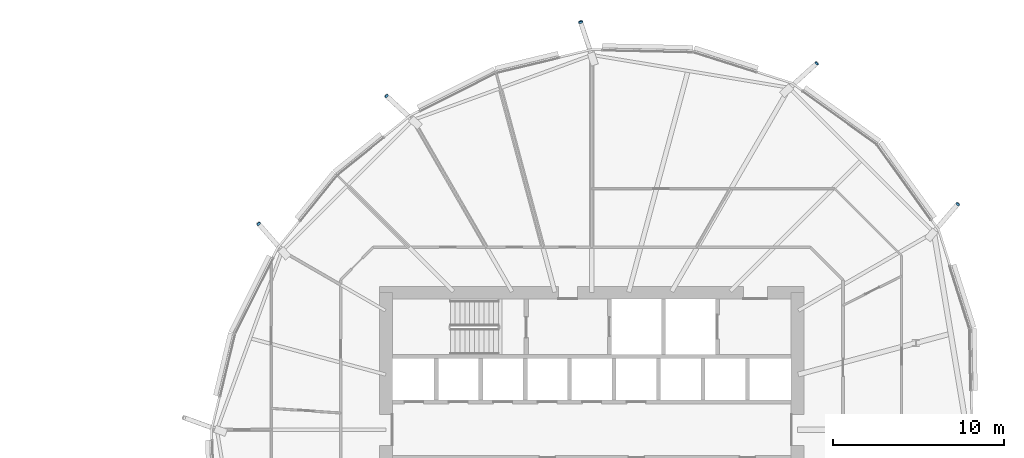
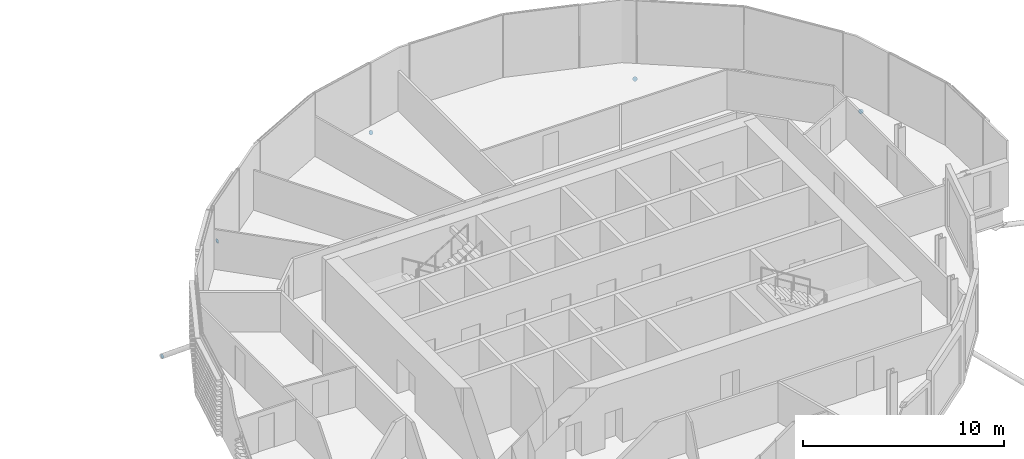
# One storey, part 32 of 39: 5 discrete accessories.
"""IFC4 building model written with IfcOpenShell, lengths in metres."""

from ifc_helpers import new_model, si_unit, direction, frame, origin, origin_2d, place, context, subcontext, project, spatial, circle, extrude, material, material_profile, profile_set, type_object, element, save


model = new_model("IFC4")

# Units and contexts
model_context = context("Model", 3, precision=1e-05, world=origin(), true_north=direction((0.0, 1.0)))
body_context = subcontext(model_context, "Body", "Model", "MODEL_VIEW")
ifc_project = project(units=[si_unit("LENGTHUNIT", "METRE"), si_unit("AREAUNIT", "SQUARE_METRE"), si_unit("VOLUMEUNIT", "CUBIC_METRE"), si_unit("PLANEANGLEUNIT", "RADIAN"), si_unit("MASSUNIT", "GRAM", prefix="KILO")], contexts=[model_context])

# Site, building, storey
site_placement = place(None, origin())
site = spatial("IfcSite", under=ifc_project, at=site_placement, CompositionType="ELEMENT")
building_placement = place(site_placement, origin())
building = spatial("IfcBuilding", under=site, at=building_placement, Name="Rimbun Link Towers", CompositionType="ELEMENT")
storey_placement = place(building_placement, frame((0.0, 0.0, 96.800048828125)))
storey = spatial("IfcBuildingStorey", under=building, at=storey_placement, Name="L23", CompositionType="ELEMENT", Elevation=96.800048828125)

# Discrete accessories
ifc_material = material(Name="Steel S355J2H", Category="steel")
ifc_material_profile = material_profile(ifc_material, circle(Radius=0.1240234375, at=origin_2d()), Name="PL D248")
ifc_profile_set = profile_set([ifc_material_profile], Name="Steel S355J2H")
discrete_accessory_type = type_object("IfcDiscreteAccessoryType", Name="Link foot sealing plate D248X20", PredefinedType="BRACKET", material=ifc_profile_set)
for number, where, z_axis, x_axis, name in (
    (1, (44.85986328125, 21.373291015625, -2.226318359375), (0.646005289952, 0.597250173729, -0.475362383172), (-0.678855308406, 0.734272068275, 0.0), "Link foot sealing plate T2 L23 01"),
    (2, (31.0986328125, 23.78369140625, -2.12548828125), (-0.2802794651, 0.840838395299, -0.4630704206), (-0.948683298051, -0.316227766017, 0.0), "Link foot sealing plate T2 L23 03"),
    (3, (19.781494140625, 19.466552734375, -2.12353515625), (-0.631894927227, 0.583287625132, -0.510376671991), (-0.678280102733, -0.734803444627, 0.0), "Link foot sealing plate T2 L23 05"),
    (4, (12.318359375, 12.01171875, -1.98046875), (-0.551204096945, 0.63694695647, -0.538955117013), (-0.756168682463, -0.654376744439, 0.0), "Link foot sealing plate T2 L23 07"),
    (5, (53.091796875, 13.158447265625, -2.096435546875), (0.570714576895, 0.643571756924, -0.510000260204), (-0.748187660157, 0.663487170328, 0.0), "Link foot sealing plate T2 L23 23"),
):
    element("IfcDiscreteAccessory", number, at=place(storey_placement, frame(where, z_axis=z_axis, x_axis=x_axis)), inside=storey, type_object=discrete_accessory_type, Name=name, PredefinedType="BRACKET", context=body_context, shape_type="SweptSolid", body=[
        extrude(circle(Radius=0.1240234375, at=origin_2d()), origin(), (0.0, 0.0, 1.0), 0.02001953125),
    ])

save(model, "model.ifc")
